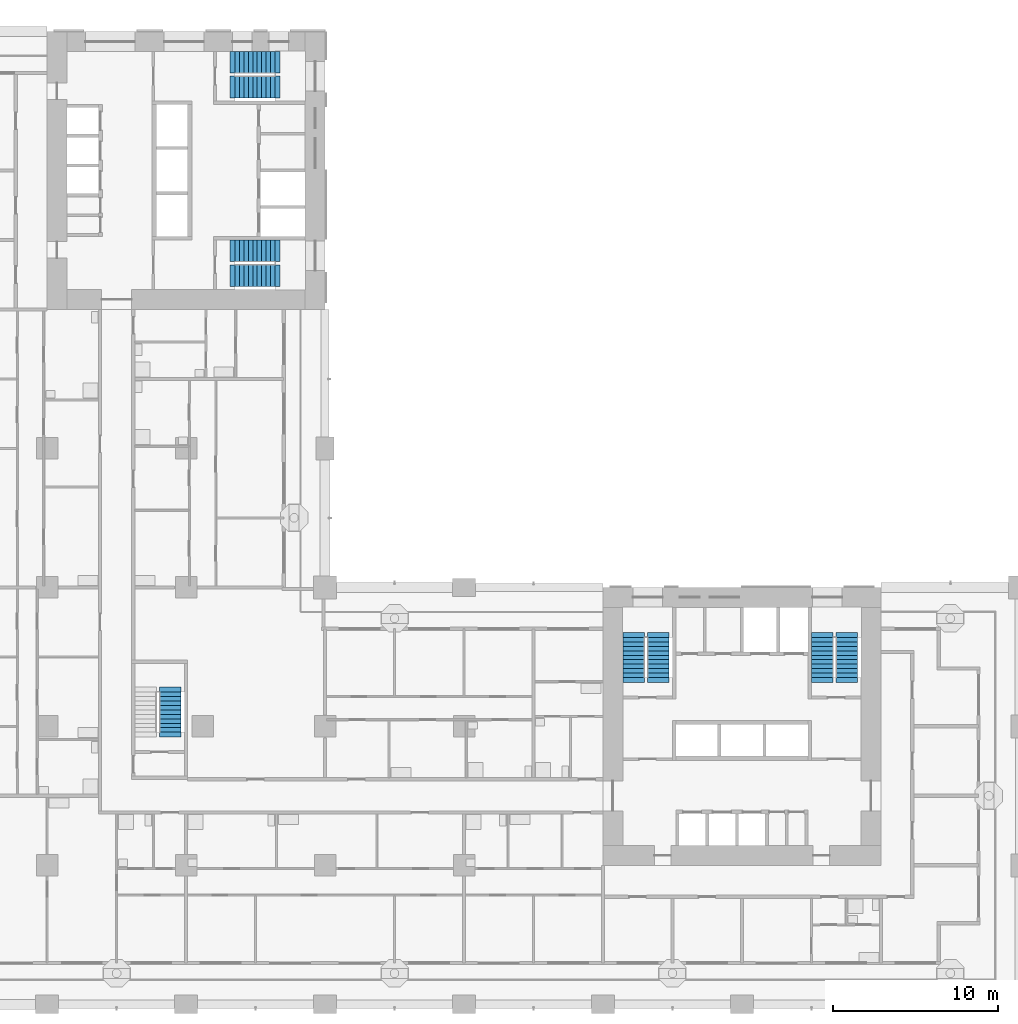
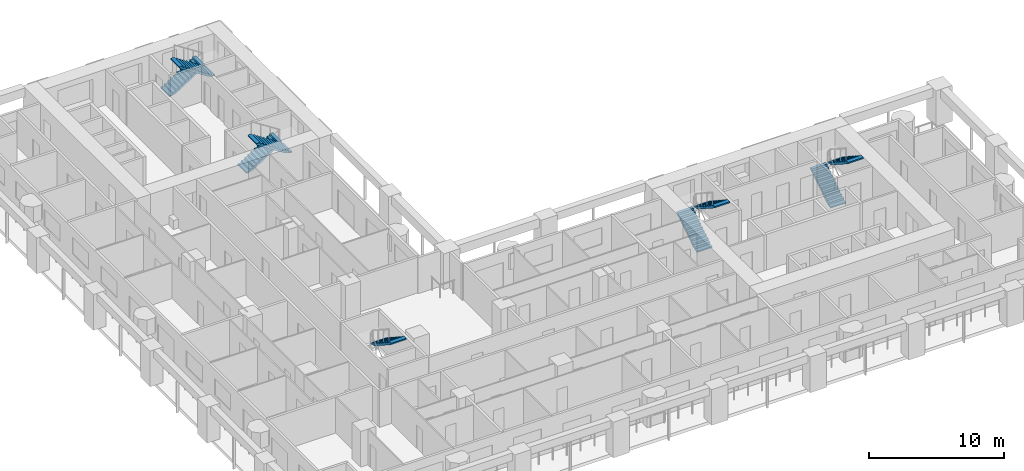
# One storey, part 10 of 20: 9 stair flights, 5 elements without a shape of their own.
"""IFC4 building model written with IfcOpenShell, lengths in metres."""

from ifc_helpers import new_model, si_unit, direction, frame, origin, place, context, subcontext, project, spatial, polyline, outline, extrude, material, type_object, element, aggregate, save


model = new_model("IFC4")

# Units and contexts
model_context = context("Model", 3, precision=1e-05, world=origin(), true_north=direction((0.0, 1.0)))
body_context = subcontext(model_context, "Body", "Model", "MODEL_VIEW")
ifc_project = project(units=[si_unit("LENGTHUNIT", "METRE"), si_unit("AREAUNIT", "SQUARE_METRE"), si_unit("VOLUMEUNIT", "CUBIC_METRE"), si_unit("PLANEANGLEUNIT", "RADIAN"), si_unit("MASSUNIT", "GRAM", prefix="KILO")], contexts=[model_context])

# Site, building, storey
site_placement = place(None, origin())
site = spatial("IfcSite", under=ifc_project, at=site_placement, CompositionType="ELEMENT")
building_placement = place(site_placement, origin())
building = spatial("IfcBuilding", under=site, at=building_placement, Name="Vermilion Gate Residences", CompositionType="ELEMENT")
storey_placement = place(building_placement, frame((0.0, 0.0, 42.699951171875)))
storey = spatial("IfcBuildingStorey", under=building, at=storey_placement, Name="L09", CompositionType="ELEMENT", Elevation=42.699951171875)

# Stair, stair flights
ifc_material_1 = material(Name="Concrete C50", Category="concrete")
stair_type = type_object("IfcStairType", Name="SPECIAL ESCAPE STAIR 1300", PredefinedType="HALF_TURN_STAIR", material=ifc_material_1)
stair_1_placement = place(storey_placement, origin())
stair_1 = element("IfcStair", 1, at=stair_1_placement, inside=storey, type_object=stair_type, Name="Special escape stair STA1-09", PredefinedType="HALF_TURN_STAIR")
ifc_material_2 = material(Name="Concrete C50", Category="concrete")
stair_flight_type = type_object("IfcStairFlightType", Name="STAIR FLIGHT 1300 RC C50", PredefinedType="STRAIGHT", material=ifc_material_2)
stair_flight_1_placement = place(storey_placement, frame((43.85009765625, 19.75, 0.0), z_axis=(0.0, 0.0, 1.0), x_axis=(0.0, 1.0, 0.0)))
stair_flight_1 = element("IfcStairFlight", 2, at=stair_flight_1_placement, type_object=stair_flight_type, Name="STA1-09 flight 1", NumberOfRisers=10, NumberOfTreads=9, PredefinedType="STRAIGHT", RiserHeight=0.175, TreadLength=0.27, context=body_context, shape_type="SweptSolid", body=[
    extrude(outline(polyline([(-0.300048828125, -0.14990234375), (-0.300048828125, -0.030029296875), (0.0, 0.0), (0.0, 0.175048828125), (0.27001953125, 0.175048828125), (0.27001953125, 0.35009765625), (0.5400390625, 0.35009765625), (0.5400390625, 0.52490234375), (0.81005859375, 0.52490234375), (0.81005859375, 0.699951171875), (1.080078125, 0.699951171875), (1.080078125, 0.875), (1.35009765625, 0.875), (1.35009765625, 1.050048828125), (1.6201171875, 1.050048828125), (1.6201171875, 1.22509765625), (1.889892578125, 1.22509765625), (1.889892578125, 1.39990234375), (2.159912109375, 1.39990234375), (2.159912109375, 1.574951171875), (2.429931640625, 1.574951171875), (2.429931640625, 1.75), (2.72998046875, 1.719970703125), (2.72998046875, 1.60009765625), (2.429931640625, 1.396484375), (0.275634765625, 0.0), (-0.300048828125, -0.14990234375)])), frame((0.0, 0.64990234375, 0.0), z_axis=(0.0, -1.0, 0.0), x_axis=(1.0, 0.0, 0.0)), (0.0, 0.0, 1.0), 1.300048828125),
])
stair_flight_2_placement = place(storey_placement, frame((45.35009765625, 22.179931640625, 1.75), z_axis=(0.0, 0.0, 1.0), x_axis=(0.0, -1.0, 0.0)))
stair_flight_2 = element("IfcStairFlight", 3, at=stair_flight_2_placement, type_object=stair_flight_type, Name="STA1-09 flight 2", NumberOfRisers=10, NumberOfTreads=9, PredefinedType="STRAIGHT", RiserHeight=0.175, TreadLength=0.27, context=body_context, shape_type="SweptSolid", body=[
    extrude(outline(polyline([(-0.300048828125, -0.14990234375), (-0.300048828125, -0.030029296875), (0.0, 0.0), (0.0, 0.175048828125), (0.27001953125, 0.175048828125), (0.27001953125, 0.35009765625), (0.5400390625, 0.35009765625), (0.5400390625, 0.52490234375), (0.81005859375, 0.52490234375), (0.81005859375, 0.699951171875), (1.080078125, 0.699951171875), (1.080078125, 0.875), (1.35009765625, 0.875), (1.35009765625, 1.050048828125), (1.6201171875, 1.050048828125), (1.6201171875, 1.22509765625), (1.889892578125, 1.22509765625), (1.889892578125, 1.39990234375), (2.159912109375, 1.39990234375), (2.159912109375, 1.574951171875), (2.429931640625, 1.574951171875), (2.429931640625, 1.75), (2.72998046875, 1.719970703125), (2.72998046875, 1.60009765625), (2.429931640625, 1.396484375), (0.275634765625, 0.0), (-0.300048828125, -0.14990234375)])), frame((0.0, 0.64990234375, 0.0), z_axis=(0.0, -1.0, 0.0), x_axis=(1.0, 0.0, 0.0)), (0.0, 0.0, 1.0), 1.300048828125),
])
aggregate(stair_1, [stair_flight_1, stair_flight_2])

stair_2_placement = place(storey_placement, origin())
stair_2 = element("IfcStair", 4, at=stair_2_placement, inside=storey, type_object=stair_type, Name="Special escape stair STA2-09", PredefinedType="HALF_TURN_STAIR")
stair_flight_3_placement = place(storey_placement, frame((55.25, 19.75, 0.0), z_axis=(0.0, 0.0, 1.0), x_axis=(0.0, 1.0, 0.0)))
stair_flight_3 = element("IfcStairFlight", 5, at=stair_flight_3_placement, type_object=stair_flight_type, Name="STA2-09 flight 1", NumberOfRisers=10, NumberOfTreads=9, PredefinedType="STRAIGHT", RiserHeight=0.175, TreadLength=0.27, context=body_context, shape_type="SweptSolid", body=[
    extrude(outline(polyline([(-0.300048828125, -0.14990234375), (-0.300048828125, -0.030029296875), (0.0, 0.0), (0.0, 0.175048828125), (0.27001953125, 0.175048828125), (0.27001953125, 0.35009765625), (0.5400390625, 0.35009765625), (0.5400390625, 0.52490234375), (0.81005859375, 0.52490234375), (0.81005859375, 0.699951171875), (1.080078125, 0.699951171875), (1.080078125, 0.875), (1.35009765625, 0.875), (1.35009765625, 1.050048828125), (1.6201171875, 1.050048828125), (1.6201171875, 1.22509765625), (1.889892578125, 1.22509765625), (1.889892578125, 1.39990234375), (2.159912109375, 1.39990234375), (2.159912109375, 1.574951171875), (2.429931640625, 1.574951171875), (2.429931640625, 1.75), (2.72998046875, 1.719970703125), (2.72998046875, 1.60009765625), (2.429931640625, 1.396484375), (0.275634765625, 0.0), (-0.300048828125, -0.14990234375)])), frame((0.0, 0.64990234375, 0.0), z_axis=(0.0, -1.0, 0.0), x_axis=(1.0, 0.0, 0.0)), (0.0, 0.0, 1.0), 1.300048828125),
])
stair_flight_4_placement = place(storey_placement, frame((56.75, 22.179931640625, 1.75), z_axis=(0.0, 0.0, 1.0), x_axis=(0.0, -1.0, 0.0)))
stair_flight_4 = element("IfcStairFlight", 6, at=stair_flight_4_placement, type_object=stair_flight_type, Name="STA2-09 flight 2", NumberOfRisers=10, NumberOfTreads=9, PredefinedType="STRAIGHT", RiserHeight=0.175, TreadLength=0.27, context=body_context, shape_type="SweptSolid", body=[
    extrude(outline(polyline([(-0.300048828125, -0.14990234375), (-0.300048828125, -0.030029296875), (0.0, 0.0), (0.0, 0.175048828125), (0.27001953125, 0.175048828125), (0.27001953125, 0.35009765625), (0.5400390625, 0.35009765625), (0.5400390625, 0.52490234375), (0.81005859375, 0.52490234375), (0.81005859375, 0.699951171875), (1.080078125, 0.699951171875), (1.080078125, 0.875), (1.35009765625, 0.875), (1.35009765625, 1.050048828125), (1.6201171875, 1.050048828125), (1.6201171875, 1.22509765625), (1.889892578125, 1.22509765625), (1.889892578125, 1.39990234375), (2.159912109375, 1.39990234375), (2.159912109375, 1.574951171875), (2.429931640625, 1.574951171875), (2.429931640625, 1.75), (2.72998046875, 1.719970703125), (2.72998046875, 1.60009765625), (2.429931640625, 1.396484375), (0.275634765625, 0.0), (-0.300048828125, -0.14990234375)])), frame((0.0, 0.64990234375, 0.0), z_axis=(0.0, -1.0, 0.0), x_axis=(1.0, 0.0, 0.0)), (0.0, 0.0, 1.0), 1.300048828125),
])
aggregate(stair_2, [stair_flight_3, stair_flight_4])

stair_3_placement = place(storey_placement, origin())
stair_3 = element("IfcStair", 7, at=stair_3_placement, inside=storey, type_object=stair_type, Name="Special escape stair STB1-09", PredefinedType="HALF_TURN_STAIR")
stair_flight_5_placement = place(storey_placement, frame((19.75, 56.949951171875, 0.0), z_axis=(0.0, 0.0, 1.0), x_axis=(1.0, 0.0, 0.0)))
stair_flight_5 = element("IfcStairFlight", 8, at=stair_flight_5_placement, type_object=stair_flight_type, Name="STB1-09 flight 1", NumberOfRisers=10, NumberOfTreads=9, PredefinedType="STRAIGHT", RiserHeight=0.175, TreadLength=0.27, context=body_context, shape_type="SweptSolid", body=[
    extrude(outline(polyline([(-0.300048828125, -0.14990234375), (-0.300048828125, -0.030029296875), (0.0, 0.0), (0.0, 0.175048828125), (0.27001953125, 0.175048828125), (0.27001953125, 0.35009765625), (0.5400390625, 0.35009765625), (0.5400390625, 0.52490234375), (0.81005859375, 0.52490234375), (0.81005859375, 0.699951171875), (1.080078125, 0.699951171875), (1.080078125, 0.875), (1.35009765625, 0.875), (1.35009765625, 1.050048828125), (1.6201171875, 1.050048828125), (1.6201171875, 1.22509765625), (1.889892578125, 1.22509765625), (1.889892578125, 1.39990234375), (2.159912109375, 1.39990234375), (2.159912109375, 1.574951171875), (2.429931640625, 1.574951171875), (2.429931640625, 1.75), (2.72998046875, 1.719970703125), (2.72998046875, 1.60009765625), (2.429931640625, 1.396484375), (0.275634765625, 0.0), (-0.300048828125, -0.14990234375)])), frame((0.0, 0.64990234375, 0.0), z_axis=(0.0, -1.0, 0.0), x_axis=(1.0, 0.0, 0.0)), (0.0, 0.0, 1.0), 1.300048828125),
])
stair_flight_6_placement = place(storey_placement, frame((22.179931640625, 55.449951171875, 1.75), z_axis=(0.0, 0.0, 1.0), x_axis=(-1.0, 0.0, 0.0)))
stair_flight_6 = element("IfcStairFlight", 9, at=stair_flight_6_placement, type_object=stair_flight_type, Name="STB1-09 flight 2", NumberOfRisers=10, NumberOfTreads=9, PredefinedType="STRAIGHT", RiserHeight=0.175, TreadLength=0.27, context=body_context, shape_type="SweptSolid", body=[
    extrude(outline(polyline([(-0.300048828125, -0.14990234375), (-0.300048828125, -0.030029296875), (0.0, 0.0), (0.0, 0.175048828125), (0.27001953125, 0.175048828125), (0.27001953125, 0.35009765625), (0.5400390625, 0.35009765625), (0.5400390625, 0.52490234375), (0.81005859375, 0.52490234375), (0.81005859375, 0.699951171875), (1.080078125, 0.699951171875), (1.080078125, 0.875), (1.35009765625, 0.875), (1.35009765625, 1.050048828125), (1.6201171875, 1.050048828125), (1.6201171875, 1.22509765625), (1.889892578125, 1.22509765625), (1.889892578125, 1.39990234375), (2.159912109375, 1.39990234375), (2.159912109375, 1.574951171875), (2.429931640625, 1.574951171875), (2.429931640625, 1.75), (2.72998046875, 1.719970703125), (2.72998046875, 1.60009765625), (2.429931640625, 1.396484375), (0.275634765625, 0.0), (-0.300048828125, -0.14990234375)])), frame((0.0, 0.64990234375, 0.0), z_axis=(0.0, -1.0, 0.0), x_axis=(1.0, 0.0, 0.0)), (0.0, 0.0, 1.0), 1.300048828125),
])
aggregate(stair_3, [stair_flight_5, stair_flight_6])

stair_4_placement = place(storey_placement, origin())
stair_4 = element("IfcStair", 10, at=stair_4_placement, inside=storey, type_object=stair_type, Name="Special escape stair STB2-09", PredefinedType="HALF_TURN_STAIR")
stair_flight_7_placement = place(storey_placement, frame((19.75, 45.550048828125, 0.0), z_axis=(0.0, 0.0, 1.0), x_axis=(1.0, 0.0, 0.0)))
stair_flight_7 = element("IfcStairFlight", 11, at=stair_flight_7_placement, type_object=stair_flight_type, Name="STB2-09 flight 1", NumberOfRisers=10, NumberOfTreads=9, PredefinedType="STRAIGHT", RiserHeight=0.175, TreadLength=0.27, context=body_context, shape_type="SweptSolid", body=[
    extrude(outline(polyline([(-0.300048828125, -0.14990234375), (-0.300048828125, -0.030029296875), (0.0, 0.0), (0.0, 0.175048828125), (0.27001953125, 0.175048828125), (0.27001953125, 0.35009765625), (0.5400390625, 0.35009765625), (0.5400390625, 0.52490234375), (0.81005859375, 0.52490234375), (0.81005859375, 0.699951171875), (1.080078125, 0.699951171875), (1.080078125, 0.875), (1.35009765625, 0.875), (1.35009765625, 1.050048828125), (1.6201171875, 1.050048828125), (1.6201171875, 1.22509765625), (1.889892578125, 1.22509765625), (1.889892578125, 1.39990234375), (2.159912109375, 1.39990234375), (2.159912109375, 1.574951171875), (2.429931640625, 1.574951171875), (2.429931640625, 1.75), (2.72998046875, 1.719970703125), (2.72998046875, 1.60009765625), (2.429931640625, 1.396484375), (0.275634765625, 0.0), (-0.300048828125, -0.14990234375)])), frame((0.0, 0.64990234375, 0.0), z_axis=(0.0, -1.0, 0.0), x_axis=(1.0, 0.0, 0.0)), (0.0, 0.0, 1.0), 1.300048828125),
])
stair_flight_8_placement = place(storey_placement, frame((22.179931640625, 44.050048828125, 1.75), z_axis=(0.0, 0.0, 1.0), x_axis=(-1.0, 0.0, 0.0)))
stair_flight_8 = element("IfcStairFlight", 12, at=stair_flight_8_placement, type_object=stair_flight_type, Name="STB2-09 flight 2", NumberOfRisers=10, NumberOfTreads=9, PredefinedType="STRAIGHT", RiserHeight=0.175, TreadLength=0.27, context=body_context, shape_type="SweptSolid", body=[
    extrude(outline(polyline([(-0.300048828125, -0.14990234375), (-0.300048828125, -0.030029296875), (0.0, 0.0), (0.0, 0.175048828125), (0.27001953125, 0.175048828125), (0.27001953125, 0.35009765625), (0.5400390625, 0.35009765625), (0.5400390625, 0.52490234375), (0.81005859375, 0.52490234375), (0.81005859375, 0.699951171875), (1.080078125, 0.699951171875), (1.080078125, 0.875), (1.35009765625, 0.875), (1.35009765625, 1.050048828125), (1.6201171875, 1.050048828125), (1.6201171875, 1.22509765625), (1.889892578125, 1.22509765625), (1.889892578125, 1.39990234375), (2.159912109375, 1.39990234375), (2.159912109375, 1.574951171875), (2.429931640625, 1.574951171875), (2.429931640625, 1.75), (2.72998046875, 1.719970703125), (2.72998046875, 1.60009765625), (2.429931640625, 1.396484375), (0.275634765625, 0.0), (-0.300048828125, -0.14990234375)])), frame((0.0, 0.64990234375, 0.0), z_axis=(0.0, -1.0, 0.0), x_axis=(1.0, 0.0, 0.0)), (0.0, 0.0, 1.0), 1.300048828125),
])
aggregate(stair_4, [stair_flight_7, stair_flight_8])

# Stair, stair flight
stair_5_placement = place(storey_placement, origin())
stair_5 = element("IfcStair", 13, at=stair_5_placement, inside=storey, type_object=stair_type, Name="Special escape stair STC1-09", PredefinedType="HALF_TURN_STAIR")
stair_flight_9_placement = place(storey_placement, frame((15.85009765625, 18.8798828125, 1.75), z_axis=(0.0, 0.0, 1.0), x_axis=(0.0, -1.0, 0.0)))
stair_flight_9 = element("IfcStairFlight", 14, at=stair_flight_9_placement, type_object=stair_flight_type, Name="STC1-09 flight 2", NumberOfRisers=10, NumberOfTreads=9, PredefinedType="STRAIGHT", RiserHeight=0.175, TreadLength=0.27, context=body_context, shape_type="SweptSolid", body=[
    extrude(outline(polyline([(-0.300048828125, -0.14990234375), (-0.300048828125, -0.030029296875), (0.0, 0.0), (0.0, 0.175048828125), (0.27001953125, 0.175048828125), (0.27001953125, 0.35009765625), (0.5400390625, 0.35009765625), (0.5400390625, 0.52490234375), (0.81005859375, 0.52490234375), (0.81005859375, 0.699951171875), (1.080078125, 0.699951171875), (1.080078125, 0.875), (1.35009765625, 0.875), (1.35009765625, 1.050048828125), (1.6201171875, 1.050048828125), (1.6201171875, 1.22509765625), (1.889892578125, 1.22509765625), (1.889892578125, 1.39990234375), (2.159912109375, 1.39990234375), (2.159912109375, 1.574951171875), (2.429931640625, 1.574951171875), (2.429931640625, 1.75), (2.72998046875, 1.719970703125), (2.72998046875, 1.60009765625), (2.429931640625, 1.396484375), (0.275634765625, 0.0), (-0.300048828125, -0.14990234375)])), frame((0.0, 0.64990234375, 0.0), z_axis=(0.0, -1.0, 0.0), x_axis=(1.0, 0.0, 0.0)), (0.0, 0.0, 1.0), 1.300048828125),
])
aggregate(stair_5, [stair_flight_9])

save(model, "model.ifc")
